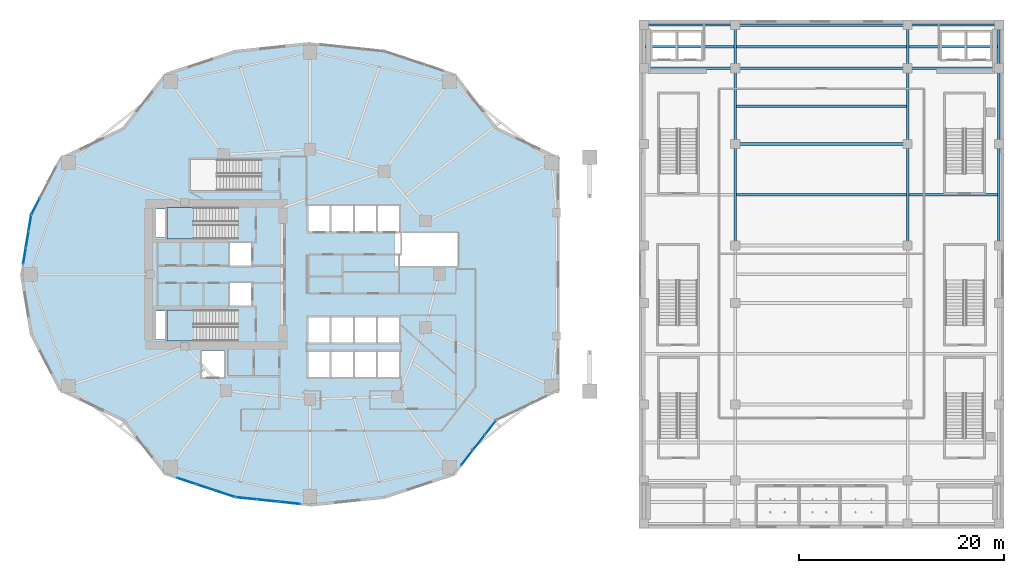
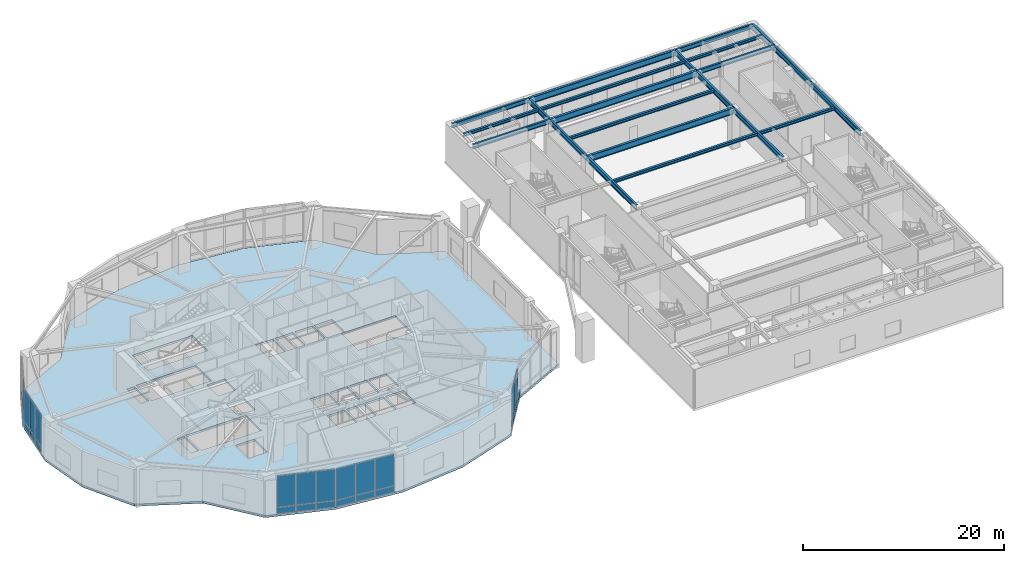
# One storey, part 9 of 21: 25 plates, 22 beams, 3 slabs, 7 elements without a shape of their own.
"""IFC4 building model written with IfcOpenShell, lengths in metres."""

from ifc_helpers import new_model, si_unit, direction, frame, origin, origin_2d, place, context, subcontext, project, spatial, polyline, rectangle, i_section, outline, extrude, material, layer, layer_set, material_profile, profile_set, type_object, element, aggregate, save


model = new_model("IFC4")

# Units and contexts
model_context = context("Model", 3, precision=1e-05, world=origin(), true_north=direction((0.0, 1.0)))
body_context = subcontext(model_context, "Body", "Model", "MODEL_VIEW")
ifc_project = project(units=[si_unit("LENGTHUNIT", "METRE"), si_unit("AREAUNIT", "SQUARE_METRE"), si_unit("VOLUMEUNIT", "CUBIC_METRE"), si_unit("PLANEANGLEUNIT", "RADIAN"), si_unit("MASSUNIT", "GRAM", prefix="KILO")], contexts=[model_context])

# Site, building, storey
site_placement = place(None, origin())
site = spatial("IfcSite", under=ifc_project, at=site_placement, CompositionType="ELEMENT")
building_placement = place(site_placement, origin())
building = spatial("IfcBuilding", under=site, at=building_placement, Name="Kolvaren Gate Tower and Convention Centre", CompositionType="ELEMENT")
storey_placement = place(building_placement, frame((0.0, 0.0, 5.0)))
storey = spatial("IfcBuildingStorey", under=building, at=storey_placement, Name="L01", CompositionType="ELEMENT", Elevation=5.0)

# Beams
ifc_material_1 = material(Name="Structural steel ASTM A992 Grade 345 MPa", Category="steel")
ifc_material_profile_1 = material_profile(ifc_material_1, i_section(OverallWidth=0.2119140625, OverallDepth=0.5439453125, WebThickness=0.01318359375, FlangeThickness=0.021240234375, at=origin_2d()), Name="W530X123")
ifc_profile_set_1 = profile_set([ifc_material_profile_1], Name="Structural steel ASTM A992 Grade 345 MPa")
beam_type_1 = type_object("IfcBeamType", Name="STR-BM-W530X123", PredefinedType="BEAM", material=ifc_profile_set_1)
for number, where, z_axis, x_axis, name in (
    (1, (62.699951171875, 47.10009765625, 4.468017578125), (1.0, 0.0, 0.0), (0.0, 1.0, 0.0), "Convention L01 Transverse Girder CTG-17"),
    (2, (88.39990234375, 47.10009765625, 4.468017578125), (1.0, 0.0, 0.0), (0.0, 1.0, 0.0), "Convention L01 Transverse Girder CTG-37"),
    (3, (62.699951171875, 51.300048828125, 4.468017578125), (1.0, 0.0, 0.0), (0.0, 1.0, 0.0), "Convention L01 Transverse Girder CTG-18"),
    (4, (88.39990234375, 51.300048828125, 4.468017578125), (1.0, 0.0, 0.0), (0.0, 1.0, 0.0), "Convention L01 Transverse Girder CTG-38"),
):
    element("IfcBeam", number, at=place(storey_placement, frame(where, z_axis=z_axis, x_axis=x_axis)), inside=storey, type_object=beam_type_1, Name=name, PredefinedType="BEAM", context=body_context, shape_type="SweptSolid", body=[
        extrude(i_section(OverallWidth=0.2119140625, OverallDepth=0.5439453125, WebThickness=0.01318359375, FlangeThickness=0.021240234375, at=origin_2d()), origin(), (0.0, 0.0, 1.0), 8.900146484375),
    ])
ifc_material_profile_2 = material_profile(ifc_material_1, i_section(OverallWidth=0.22998046875, OverallDepth=0.616943359375, WebThickness=0.01318359375, FlangeThickness=0.022216796875, at=origin_2d()), Name="W610X140")
ifc_profile_set_2 = profile_set([ifc_material_profile_2], Name="Structural steel ASTM A992 Grade 345 MPa")
beam_type_2 = type_object("IfcBeamType", Name="STR-BM-W610X140", PredefinedType="BEAM", material=ifc_profile_set_2)
beam_1_placement = place(storey_placement, frame((71.60009765625, 29.800048828125, 4.431396484375), z_axis=(0.0, 1.0, 0.0), x_axis=(-1.0, 0.0, 0.0)))
element("IfcBeam", 5, at=beam_1_placement, inside=storey, type_object=beam_type_2, Name="Convention L01 Longitudinal Girder CG-25", PredefinedType="BEAM", context=body_context, shape_type="SweptSolid", body=[
    extrude(i_section(OverallWidth=0.22998046875, OverallDepth=0.616943359375, WebThickness=0.01318359375, FlangeThickness=0.022216796875, at=origin_2d()), origin(), (0.0, 0.0, 1.0), 9.89990234375),
])
beam_2_placement = place(storey_placement, frame((71.60009765625, 39.699951171875, 4.431396484375), z_axis=(0.0, 1.0, 0.0), x_axis=(-1.0, 0.0, 0.0)))
element("IfcBeam", 6, at=beam_2_placement, inside=storey, type_object=beam_type_2, Name="Convention L01 Longitudinal Girder CG-26", PredefinedType="BEAM", context=body_context, shape_type="SweptSolid", body=[
    extrude(i_section(OverallWidth=0.22998046875, OverallDepth=0.616943359375, WebThickness=0.01318359375, FlangeThickness=0.022216796875, at=origin_2d()), origin(), (0.0, 0.0, 1.0), 7.400146484375),
])
beam_3_placement = place(storey_placement, frame((71.60009765625, 47.10009765625, 4.431396484375), z_axis=(0.0, 1.0, 0.0), x_axis=(-1.0, 0.0, 0.0)))
element("IfcBeam", 7, at=beam_3_placement, inside=storey, type_object=beam_type_2, Name="Convention L01 Longitudinal Girder CG-27", PredefinedType="BEAM", context=body_context, shape_type="SweptSolid", body=[
    extrude(i_section(OverallWidth=0.22998046875, OverallDepth=0.616943359375, WebThickness=0.01318359375, FlangeThickness=0.022216796875, at=origin_2d()), origin(), (0.0, 0.0, 1.0), 4.199951171875),
])
beam_4_placement = place(storey_placement, frame((88.39990234375, 29.800048828125, 4.431396484375), z_axis=(0.0, 1.0, 0.0), x_axis=(-1.0, 0.0, 0.0)))
element("IfcBeam", 8, at=beam_4_placement, inside=storey, type_object=beam_type_2, Name="Convention L01 Longitudinal Girder CG-35", PredefinedType="BEAM", context=body_context, shape_type="SweptSolid", body=[
    extrude(i_section(OverallWidth=0.22998046875, OverallDepth=0.616943359375, WebThickness=0.01318359375, FlangeThickness=0.022216796875, at=origin_2d()), origin(), (0.0, 0.0, 1.0), 9.89990234375),
])
beam_5_placement = place(storey_placement, frame((88.39990234375, 39.699951171875, 4.431396484375), z_axis=(0.0, 1.0, 0.0), x_axis=(-1.0, 0.0, 0.0)))
element("IfcBeam", 9, at=beam_5_placement, inside=storey, type_object=beam_type_2, Name="Convention L01 Longitudinal Girder CG-36", PredefinedType="BEAM", context=body_context, shape_type="SweptSolid", body=[
    extrude(i_section(OverallWidth=0.22998046875, OverallDepth=0.616943359375, WebThickness=0.01318359375, FlangeThickness=0.022216796875, at=origin_2d()), origin(), (0.0, 0.0, 1.0), 7.400146484375),
])
beam_6_placement = place(storey_placement, frame((88.39990234375, 47.10009765625, 4.431396484375), z_axis=(0.0, 1.0, 0.0), x_axis=(-1.0, 0.0, 0.0)))
element("IfcBeam", 10, at=beam_6_placement, inside=storey, type_object=beam_type_2, Name="Convention L01 Longitudinal Girder CG-37", PredefinedType="BEAM", context=body_context, shape_type="SweptSolid", body=[
    extrude(i_section(OverallWidth=0.22998046875, OverallDepth=0.616943359375, WebThickness=0.01318359375, FlangeThickness=0.022216796875, at=origin_2d()), origin(), (0.0, 0.0, 1.0), 4.199951171875),
])
beam_7_placement = place(storey_placement, frame((97.300048828125, 29.800048828125, 4.431396484375), z_axis=(0.0, 1.0, 0.0), x_axis=(-1.0, 0.0, 0.0)))
element("IfcBeam", 11, at=beam_7_placement, inside=storey, type_object=beam_type_2, Name="Convention L01 Longitudinal Girder CG-45", PredefinedType="BEAM", context=body_context, shape_type="SweptSolid", body=[
    extrude(i_section(OverallWidth=0.22998046875, OverallDepth=0.616943359375, WebThickness=0.01318359375, FlangeThickness=0.022216796875, at=origin_2d()), origin(), (0.0, 0.0, 1.0), 9.89990234375),
])
beam_8_placement = place(storey_placement, frame((97.300048828125, 39.699951171875, 4.431396484375), z_axis=(0.0, 1.0, 0.0), x_axis=(-1.0, 0.0, 0.0)))
element("IfcBeam", 12, at=beam_8_placement, inside=storey, type_object=beam_type_2, Name="Convention L01 Longitudinal Girder CG-46", PredefinedType="BEAM", context=body_context, shape_type="SweptSolid", body=[
    extrude(i_section(OverallWidth=0.22998046875, OverallDepth=0.616943359375, WebThickness=0.01318359375, FlangeThickness=0.022216796875, at=origin_2d()), origin(), (0.0, 0.0, 1.0), 7.400146484375),
])
beam_9_placement = place(storey_placement, frame((97.300048828125, 47.10009765625, 4.431396484375), z_axis=(0.0, 1.0, 0.0), x_axis=(-1.0, 0.0, 0.0)))
element("IfcBeam", 13, at=beam_9_placement, inside=storey, type_object=beam_type_2, Name="Convention L01 Longitudinal Girder CG-47", PredefinedType="BEAM", context=body_context, shape_type="SweptSolid", body=[
    extrude(i_section(OverallWidth=0.22998046875, OverallDepth=0.616943359375, WebThickness=0.01318359375, FlangeThickness=0.022216796875, at=origin_2d()), origin(), (0.0, 0.0, 1.0), 4.199951171875),
])
ifc_material_profile_3 = material_profile(ifc_material_1, i_section(OverallWidth=0.26806640625, OverallDepth=0.758056640625, WebThickness=0.016357421875, FlangeThickness=0.025390625, at=origin_2d()), Name="W760X220")
ifc_profile_set_3 = profile_set([ifc_material_profile_3], Name="Structural steel ASTM A992 Grade 345 MPa")
beam_type_3 = type_object("IfcBeamType", Name="STR-BM-W760X220", PredefinedType="BEAM", material=ifc_profile_set_3)
for number, where, z_axis, x_axis, name in (
    (14, (71.60009765625, 39.699951171875, 4.361083984375), (1.0, 0.0, 0.0), (0.0, 1.0, 0.0), "Convention L01 Transverse Girder CTG-26"),
    (15, (71.60009765625, 47.10009765625, 4.361083984375), (1.0, 0.0, 0.0), (0.0, 1.0, 0.0), "Convention L01 Transverse Girder CTG-27"),
    (16, (71.60009765625, 51.300048828125, 4.361083984375), (1.0, 0.0, 0.0), (0.0, 1.0, 0.0), "Convention L01 Transverse Girder CTG-28"),
):
    element("IfcBeam", number, at=place(storey_placement, frame(where, z_axis=z_axis, x_axis=x_axis)), inside=storey, type_object=beam_type_3, Name=name, PredefinedType="BEAM", context=body_context, shape_type="SweptSolid", body=[
        extrude(i_section(OverallWidth=0.26806640625, OverallDepth=0.758056640625, WebThickness=0.016357421875, FlangeThickness=0.025390625, at=origin_2d()), origin(), (0.0, 0.0, 1.0), 16.7998046875),
    ])
ifc_material_profile_4 = material_profile(ifc_material_1, i_section(OverallWidth=0.2548828125, OverallDepth=0.35693359375, WebThickness=0.010498046875, FlangeThickness=0.018310546875, at=origin_2d()), Name="W360X101")
ifc_profile_set_4 = profile_set([ifc_material_profile_4], Name="Structural steel ASTM A992 Grade 345 MPa")
beam_type_4 = type_object("IfcBeamType", Name="STR-JS-W360X101", PredefinedType="JOIST", material=ifc_profile_set_4)
beam_10_placement = place(storey_placement, frame((71.715087890625, 34.75, 4.5615234375), z_axis=(1.0, 0.0, 0.0), x_axis=(0.0, 1.0, 0.0)))
element("IfcBeam", 17, at=beam_10_placement, inside=storey, type_object=beam_type_4, Name="Convention L01 Composite Floor Joist CJ-25", PredefinedType="JOIST", context=body_context, shape_type="SweptSolid", body=[
    extrude(i_section(OverallWidth=0.2548828125, OverallDepth=0.35693359375, WebThickness=0.010498046875, FlangeThickness=0.018310546875, at=origin_2d()), origin(), (0.0, 0.0, 1.0), 16.56982421875),
])
beam_11_placement = place(storey_placement, frame((88.514892578125, 34.75, 4.5615234375), z_axis=(1.0, 0.0, 0.0), x_axis=(0.0, 1.0, 0.0)))
element("IfcBeam", 18, at=beam_11_placement, inside=storey, type_object=beam_type_4, Name="Convention L01 Composite Floor Joist CJ-35", PredefinedType="JOIST", context=body_context, shape_type="SweptSolid", body=[
    extrude(i_section(OverallWidth=0.2548828125, OverallDepth=0.35693359375, WebThickness=0.010498046875, FlangeThickness=0.018310546875, at=origin_2d()), origin(), (0.0, 0.0, 1.0), 8.670166015625),
])
beam_12_placement = place(storey_placement, frame((71.715087890625, 43.39990234375, 4.5615234375), z_axis=(1.0, 0.0, 0.0), x_axis=(0.0, 1.0, 0.0)))
element("IfcBeam", 19, at=beam_12_placement, inside=storey, type_object=beam_type_4, Name="Convention L01 Composite Floor Joist CJ-26", PredefinedType="JOIST", context=body_context, shape_type="SweptSolid", body=[
    extrude(i_section(OverallWidth=0.2548828125, OverallDepth=0.35693359375, WebThickness=0.010498046875, FlangeThickness=0.018310546875, at=origin_2d()), origin(), (0.0, 0.0, 1.0), 16.56982421875),
])
beam_13_placement = place(storey_placement, frame((62.81494140625, 49.199951171875, 4.5615234375), z_axis=(1.0, 0.0, 0.0), x_axis=(0.0, 1.0, 0.0)))
element("IfcBeam", 20, at=beam_13_placement, inside=storey, type_object=beam_type_4, Name="Convention L01 Composite Floor Joist CJ-17", PredefinedType="JOIST", context=body_context, shape_type="SweptSolid", body=[
    extrude(i_section(OverallWidth=0.2548828125, OverallDepth=0.35693359375, WebThickness=0.010498046875, FlangeThickness=0.018310546875, at=origin_2d()), origin(), (0.0, 0.0, 1.0), 8.670166015625),
])
beam_14_placement = place(storey_placement, frame((71.715087890625, 49.199951171875, 4.5615234375), z_axis=(1.0, 0.0, 0.0), x_axis=(0.0, 1.0, 0.0)))
element("IfcBeam", 21, at=beam_14_placement, inside=storey, type_object=beam_type_4, Name="Convention L01 Composite Floor Joist CJ-27", PredefinedType="JOIST", context=body_context, shape_type="SweptSolid", body=[
    extrude(i_section(OverallWidth=0.2548828125, OverallDepth=0.35693359375, WebThickness=0.010498046875, FlangeThickness=0.018310546875, at=origin_2d()), origin(), (0.0, 0.0, 1.0), 16.56982421875),
])
beam_15_placement = place(storey_placement, frame((88.514892578125, 49.199951171875, 4.5615234375), z_axis=(1.0, 0.0, 0.0), x_axis=(0.0, 1.0, 0.0)))
element("IfcBeam", 22, at=beam_15_placement, inside=storey, type_object=beam_type_4, Name="Convention L01 Composite Floor Joist CJ-37", PredefinedType="JOIST", context=body_context, shape_type="SweptSolid", body=[
    extrude(i_section(OverallWidth=0.2548828125, OverallDepth=0.35693359375, WebThickness=0.010498046875, FlangeThickness=0.018310546875, at=origin_2d()), origin(), (0.0, 0.0, 1.0), 8.670166015625),
])

# Curtain wall, plate
ifc_material_2 = material(Name="Anodized Architectural Aluminium Alloy 6063-T6", Category="aluminium")
ifc_layer_1 = layer(ifc_material_2, 0.179931640625)
ifc_layer_set_1 = layer_set([ifc_layer_1], Name="Anodized Architectural Aluminium Alloy 6063-T6")
curtain_wall_type = type_object("IfcCurtainWallType", Name="CW-POD-GLZ", PredefinedType="NOTDEFINED", material=ifc_layer_set_1)
curtain_wall_1_placement = place(storey_placement, origin())
curtain_wall_1 = element("IfcCurtainWall", 23, at=curtain_wall_1_placement, inside=storey, type_object=curtain_wall_type, Name="Tower L01 Unitised Curtain Wall CW-POD-GLZ Bay 10", PredefinedType="NOTDEFINED")
ifc_material_3 = material(Name="Low-E Triple Insulated Glazing Unit 44 mm", Category="glass")
ifc_layer_2 = layer(ifc_material_3, 0.0439453125)
ifc_layer_set_2 = layer_set([ifc_layer_2], Name="Low-E Triple Insulated Glazing Unit 44 mm")
plate_type_1 = type_object("IfcPlateType", Name="CW-PL-IGU-44", PredefinedType="CURTAIN_PANEL", material=ifc_layer_set_2)
plate_1_placement = place(storey_placement, frame((3.373779296875, 33.625732421875, 0.8876953125), z_axis=(0.0, 0.0, 1.0), x_axis=(0.459789264949, 0.888028058024, 0.0)))
plate_1 = element("IfcPlate", 24, at=plate_1_placement, type_object=plate_type_1, Name="CW-01 panel 1.2", PredefinedType="CURTAIN_PANEL", context=body_context, shape_type="SweptSolid", body=[
    extrude(rectangle(XDim=1.6572265625, YDim=0.0439453125, at=origin_2d()), origin(), (0.0, 0.0, 1.0), 3.777587890625),
])

# Curtain wall, plates
curtain_wall_2_placement = place(storey_placement, origin())
curtain_wall_2 = element("IfcCurtainWall", 25, at=curtain_wall_2_placement, inside=storey, type_object=curtain_wall_type, Name="Tower L01 Unitised Curtain Wall CW-POD-GLZ Bay 11", PredefinedType="NOTDEFINED")
plate_2_placement = place(storey_placement, frame((2.295166015625, 28.793212890625, 0.8876953125), z_axis=(0.0, 0.0, 1.0), x_axis=(0.162376449454, 0.986728883059, 0.0)))
plate_2 = element("IfcPlate", 26, at=plate_2_placement, type_object=plate_type_1, Name="CW-01 panel 1.2", PredefinedType="CURTAIN_PANEL", context=body_context, shape_type="SweptSolid", body=[
    extrude(rectangle(XDim=1.52880859375, YDim=0.0439453125, at=origin_2d()), origin(), (0.0, 0.0, 1.0), 3.777587890625),
])
plate_3_placement = place(storey_placement, frame((2.55859375, 30.394287109375, 0.8876953125), z_axis=(0.0, 0.0, 1.0), x_axis=(0.162376449454, 0.986728883059, 0.0)))
plate_3 = element("IfcPlate", 27, at=plate_3_placement, type_object=plate_type_1, Name="CW-01 panel 2.2", PredefinedType="CURTAIN_PANEL", context=body_context, shape_type="SweptSolid", body=[
    extrude(rectangle(XDim=1.566162109375, YDim=0.0439453125, at=origin_2d()), origin(), (0.0, 0.0, 1.0), 3.777587890625),
])
plate_4_placement = place(storey_placement, frame((2.822021484375, 31.9951171875, 0.8876953125), z_axis=(0.0, 0.0, 1.0), x_axis=(0.162376449454, 0.986728883059, 0.0)))
plate_4 = element("IfcPlate", 28, at=plate_4_placement, type_object=plate_type_1, Name="CW-01 panel 3.2", PredefinedType="CURTAIN_PANEL", context=body_context, shape_type="SweptSolid", body=[
    extrude(rectangle(XDim=1.52880859375, YDim=0.0439453125, at=origin_2d()), origin(), (0.0, 0.0, 1.0), 3.777587890625),
])

curtain_wall_3_placement = place(storey_placement, origin())
curtain_wall_3 = element("IfcCurtainWall", 29, at=curtain_wall_3_placement, inside=storey, type_object=curtain_wall_type, Name="Tower L01 Unitised Curtain Wall CW-POD-GLZ Bay 16", PredefinedType="NOTDEFINED")
plate_5_placement = place(storey_placement, frame((18.076904296875, 6.846923828125, 0.8876953125), z_axis=(0.0, 0.0, 1.0), x_axis=(0.949242053404, -0.314546537175, 0.0)))
plate_5 = element("IfcPlate", 30, at=plate_5_placement, type_object=plate_type_1, Name="CW-01 panel 1.2", PredefinedType="CURTAIN_PANEL", context=body_context, shape_type="SweptSolid", body=[
    extrude(rectangle(XDim=1.904541015625, YDim=0.0439453125, at=origin_2d()), origin(), (0.0, 0.0, 1.0), 3.777587890625),
])
plate_6_placement = place(storey_placement, frame((19.973876953125, 6.21826171875, 0.8876953125), z_axis=(0.0, 0.0, 1.0), x_axis=(0.949242053404, -0.314546537175, 0.0)))
plate_6 = element("IfcPlate", 31, at=plate_6_placement, type_object=plate_type_1, Name="CW-01 panel 2.2", PredefinedType="CURTAIN_PANEL", context=body_context, shape_type="SweptSolid", body=[
    extrude(rectangle(XDim=1.94189453125, YDim=0.0439453125, at=origin_2d()), origin(), (0.0, 0.0, 1.0), 3.777587890625),
])
plate_7_placement = place(storey_placement, frame((21.87060546875, 5.58984375, 0.8876953125), z_axis=(0.0, 0.0, 1.0), x_axis=(0.949242053404, -0.314546537175, 0.0)))
plate_7 = element("IfcPlate", 32, at=plate_7_placement, type_object=plate_type_1, Name="CW-01 panel 3.2", PredefinedType="CURTAIN_PANEL", context=body_context, shape_type="SweptSolid", body=[
    extrude(rectangle(XDim=1.904541015625, YDim=0.0439453125, at=origin_2d()), origin(), (0.0, 0.0, 1.0), 3.777587890625),
])

curtain_wall_4_placement = place(storey_placement, origin())
curtain_wall_4 = element("IfcCurtainWall", 33, at=curtain_wall_4_placement, inside=storey, type_object=curtain_wall_type, Name="Tower L01 Unitised Curtain Wall CW-POD-GLZ Bay 17", PredefinedType="NOTDEFINED")
plate_8_placement = place(storey_placement, frame((23.923583984375, 5.153076171875, 0.8876953125), z_axis=(0.0, 0.0, 1.0), x_axis=(0.994499449653, -0.104741799872, 0.0)))
plate_8 = element("IfcPlate", 34, at=plate_8_placement, type_object=plate_type_1, Name="CW-01 panel 1.2", PredefinedType="CURTAIN_PANEL", context=body_context, shape_type="SweptSolid", body=[
    extrude(rectangle(XDim=2.017822265625, YDim=0.0439453125, at=origin_2d()), origin(), (0.0, 0.0, 1.0), 3.777587890625),
])
plate_9_placement = place(storey_placement, frame((26.023681640625, 4.931884765625, 0.8876953125), z_axis=(0.0, 0.0, 1.0), x_axis=(0.994499449653, -0.104741799872, 0.0)))
plate_9 = element("IfcPlate", 35, at=plate_9_placement, type_object=plate_type_1, Name="CW-01 panel 2.2", PredefinedType="CURTAIN_PANEL", context=body_context, shape_type="SweptSolid", body=[
    extrude(rectangle(XDim=2.055419921875, YDim=0.0439453125, at=origin_2d()), origin(), (0.0, 0.0, 1.0), 3.777587890625),
])
plate_10_placement = place(storey_placement, frame((28.12353515625, 4.7109375, 0.8876953125), z_axis=(0.0, 0.0, 1.0), x_axis=(0.994499449653, -0.104741799872, 0.0)))
plate_10 = element("IfcPlate", 36, at=plate_10_placement, type_object=plate_type_1, Name="CW-01 panel 3.2", PredefinedType="CURTAIN_PANEL", context=body_context, shape_type="SweptSolid", body=[
    extrude(rectangle(XDim=2.017822265625, YDim=0.0439453125, at=origin_2d()), origin(), (0.0, 0.0, 1.0), 3.777587890625),
])

curtain_wall_5_placement = place(storey_placement, origin())
curtain_wall_5 = element("IfcCurtainWall", 37, at=curtain_wall_5_placement, inside=storey, type_object=curtain_wall_type, Name="Tower L01 Unitised Curtain Wall CW-POD-GLZ Bay 20", PredefinedType="NOTDEFINED")
plate_11_placement = place(storey_placement, frame((45.439697265625, 9.114013671875, 0.8876953125), z_axis=(0.0, 0.0, 1.0), x_axis=(0.616425794643, 0.787413004527, 0.0)))
plate_11 = element("IfcPlate", 38, at=plate_11_placement, type_object=plate_type_1, Name="CW-01 panel 1.2", PredefinedType="CURTAIN_PANEL", context=body_context, shape_type="SweptSolid", body=[
    extrude(rectangle(XDim=1.760986328125, YDim=0.0439453125, at=origin_2d()), origin(), (0.0, 0.0, 1.0), 3.777587890625),
])
plate_12_placement = place(storey_placement, frame((46.5830078125, 10.574462890625, 0.8876953125), z_axis=(0.0, 0.0, 1.0), x_axis=(0.616425794643, 0.787413004527, 0.0)))
plate_12 = element("IfcPlate", 39, at=plate_12_placement, type_object=plate_type_1, Name="CW-01 panel 2.2", PredefinedType="CURTAIN_PANEL", context=body_context, shape_type="SweptSolid", body=[
    extrude(rectangle(XDim=1.79833984375, YDim=0.0439453125, at=origin_2d()), origin(), (0.0, 0.0, 1.0), 3.777587890625),
])

# Plate
ifc_material_4 = material(Name="Solar-Control Laminated Curtain Glazing 36 mm", Category="glass")
ifc_layer_3 = layer(ifc_material_4, 0.035888671875)
ifc_layer_set_3 = layer_set([ifc_layer_3], Name="Solar-Control Laminated Curtain Glazing 36 mm")
plate_type_2 = type_object("IfcPlateType", Name="CW-PL-SPAN-36", PredefinedType="CURTAIN_PANEL", material=ifc_layer_set_3)
plate_13_placement = place(storey_placement, frame((3.373779296875, 33.625732421875, 0.0751953125), z_axis=(0.0, 0.0, 1.0), x_axis=(0.459789264949, 0.888028058024, 0.0)))
plate_13 = element("IfcPlate", 40, at=plate_13_placement, type_object=plate_type_2, Name="CW-01 panel 1.1", PredefinedType="CURTAIN_PANEL", context=body_context, shape_type="SweptSolid", body=[
    extrude(rectangle(XDim=1.6572265625, YDim=0.035888671875, at=origin_2d()), origin(), (0.0, 0.0, 1.0), 0.737548828125),
])

aggregate(curtain_wall_1, [plate_13, plate_1])

plate_14_placement = place(storey_placement, frame((2.295166015625, 28.793212890625, 0.0751953125), z_axis=(0.0, 0.0, 1.0), x_axis=(0.162376449454, 0.986728883059, 0.0)))
plate_14 = element("IfcPlate", 41, at=plate_14_placement, type_object=plate_type_2, Name="CW-01 panel 1.1", PredefinedType="CURTAIN_PANEL", context=body_context, shape_type="SweptSolid", body=[
    extrude(rectangle(XDim=1.52880859375, YDim=0.035888671875, at=origin_2d()), origin(), (0.0, 0.0, 1.0), 0.737548828125),
])

plate_15_placement = place(storey_placement, frame((2.55859375, 30.394287109375, 0.0751953125), z_axis=(0.0, 0.0, 1.0), x_axis=(0.162376449454, 0.986728883059, 0.0)))
plate_15 = element("IfcPlate", 42, at=plate_15_placement, type_object=plate_type_2, Name="CW-01 panel 2.1", PredefinedType="CURTAIN_PANEL", context=body_context, shape_type="SweptSolid", body=[
    extrude(rectangle(XDim=1.566162109375, YDim=0.035888671875, at=origin_2d()), origin(), (0.0, 0.0, 1.0), 0.737548828125),
])

plate_16_placement = place(storey_placement, frame((2.822021484375, 31.9951171875, 0.0751953125), z_axis=(0.0, 0.0, 1.0), x_axis=(0.162376449454, 0.986728883059, 0.0)))
plate_16 = element("IfcPlate", 43, at=plate_16_placement, type_object=plate_type_2, Name="CW-01 panel 3.1", PredefinedType="CURTAIN_PANEL", context=body_context, shape_type="SweptSolid", body=[
    extrude(rectangle(XDim=1.52880859375, YDim=0.035888671875, at=origin_2d()), origin(), (0.0, 0.0, 1.0), 0.737548828125),
])

aggregate(curtain_wall_2, [plate_14, plate_2, plate_15, plate_3, plate_16, plate_4])

plate_17_placement = place(storey_placement, frame((18.076904296875, 6.846923828125, 0.0751953125), z_axis=(0.0, 0.0, 1.0), x_axis=(0.949242053404, -0.314546537175, 0.0)))
plate_17 = element("IfcPlate", 44, at=plate_17_placement, type_object=plate_type_2, Name="CW-01 panel 1.1", PredefinedType="CURTAIN_PANEL", context=body_context, shape_type="SweptSolid", body=[
    extrude(rectangle(XDim=1.904541015625, YDim=0.035888671875, at=origin_2d()), origin(), (0.0, 0.0, 1.0), 0.737548828125),
])

plate_18_placement = place(storey_placement, frame((19.973876953125, 6.21826171875, 0.0751953125), z_axis=(0.0, 0.0, 1.0), x_axis=(0.949242053404, -0.314546537175, 0.0)))
plate_18 = element("IfcPlate", 45, at=plate_18_placement, type_object=plate_type_2, Name="CW-01 panel 2.1", PredefinedType="CURTAIN_PANEL", context=body_context, shape_type="SweptSolid", body=[
    extrude(rectangle(XDim=1.94189453125, YDim=0.035888671875, at=origin_2d()), origin(), (0.0, 0.0, 1.0), 0.737548828125),
])

plate_19_placement = place(storey_placement, frame((21.87060546875, 5.58984375, 0.0751953125), z_axis=(0.0, 0.0, 1.0), x_axis=(0.949242053404, -0.314546537175, 0.0)))
plate_19 = element("IfcPlate", 46, at=plate_19_placement, type_object=plate_type_2, Name="CW-01 panel 3.1", PredefinedType="CURTAIN_PANEL", context=body_context, shape_type="SweptSolid", body=[
    extrude(rectangle(XDim=1.904541015625, YDim=0.035888671875, at=origin_2d()), origin(), (0.0, 0.0, 1.0), 0.737548828125),
])

aggregate(curtain_wall_3, [plate_17, plate_5, plate_18, plate_6, plate_19, plate_7])

plate_20_placement = place(storey_placement, frame((23.923583984375, 5.153076171875, 0.0751953125), z_axis=(0.0, 0.0, 1.0), x_axis=(0.994499449653, -0.104741799872, 0.0)))
plate_20 = element("IfcPlate", 47, at=plate_20_placement, type_object=plate_type_2, Name="CW-01 panel 1.1", PredefinedType="CURTAIN_PANEL", context=body_context, shape_type="SweptSolid", body=[
    extrude(rectangle(XDim=2.017822265625, YDim=0.035888671875, at=origin_2d()), origin(), (0.0, 0.0, 1.0), 0.737548828125),
])

plate_21_placement = place(storey_placement, frame((26.023681640625, 4.931884765625, 0.0751953125), z_axis=(0.0, 0.0, 1.0), x_axis=(0.994499449653, -0.104741799872, 0.0)))
plate_21 = element("IfcPlate", 48, at=plate_21_placement, type_object=plate_type_2, Name="CW-01 panel 2.1", PredefinedType="CURTAIN_PANEL", context=body_context, shape_type="SweptSolid", body=[
    extrude(rectangle(XDim=2.055419921875, YDim=0.035888671875, at=origin_2d()), origin(), (0.0, 0.0, 1.0), 0.737548828125),
])

plate_22_placement = place(storey_placement, frame((28.12353515625, 4.7109375, 0.0751953125), z_axis=(0.0, 0.0, 1.0), x_axis=(0.994499449653, -0.104741799872, 0.0)))
plate_22 = element("IfcPlate", 49, at=plate_22_placement, type_object=plate_type_2, Name="CW-01 panel 3.1", PredefinedType="CURTAIN_PANEL", context=body_context, shape_type="SweptSolid", body=[
    extrude(rectangle(XDim=2.017822265625, YDim=0.035888671875, at=origin_2d()), origin(), (0.0, 0.0, 1.0), 0.737548828125),
])

aggregate(curtain_wall_4, [plate_20, plate_8, plate_21, plate_9, plate_22, plate_10])

plate_23_placement = place(storey_placement, frame((45.439697265625, 9.114013671875, 0.0751953125), z_axis=(0.0, 0.0, 1.0), x_axis=(0.616425794643, 0.787413004527, 0.0)))
plate_23 = element("IfcPlate", 50, at=plate_23_placement, type_object=plate_type_2, Name="CW-01 panel 1.1", PredefinedType="CURTAIN_PANEL", context=body_context, shape_type="SweptSolid", body=[
    extrude(rectangle(XDim=1.760986328125, YDim=0.035888671875, at=origin_2d()), origin(), (0.0, 0.0, 1.0), 0.737548828125),
])

plate_24_placement = place(storey_placement, frame((46.5830078125, 10.574462890625, 0.0751953125), z_axis=(0.0, 0.0, 1.0), x_axis=(0.616425794643, 0.787413004527, 0.0)))
plate_24 = element("IfcPlate", 51, at=plate_24_placement, type_object=plate_type_2, Name="CW-01 panel 2.1", PredefinedType="CURTAIN_PANEL", context=body_context, shape_type="SweptSolid", body=[
    extrude(rectangle(XDim=1.79833984375, YDim=0.035888671875, at=origin_2d()), origin(), (0.0, 0.0, 1.0), 0.737548828125),
])

plate_25_placement = place(storey_placement, frame((47.726318359375, 12.034912109375, 0.0751953125), z_axis=(0.0, 0.0, 1.0), x_axis=(0.616425794643, 0.787413004527, 0.0)))
plate_25 = element("IfcPlate", 52, at=plate_25_placement, type_object=plate_type_2, Name="CW-01 panel 3.1", PredefinedType="CURTAIN_PANEL", context=body_context, shape_type="SweptSolid", body=[
    extrude(rectangle(XDim=1.760986328125, YDim=0.035888671875, at=origin_2d()), origin(), (0.0, 0.0, 1.0), 0.737548828125),
])

aggregate(curtain_wall_5, [plate_23, plate_11, plate_24, plate_12, plate_25])

# Slab
ifc_material_5 = material(Name="Concrete C40/50", Category="concrete")
ifc_layer_4 = layer(ifc_material_5, 0.260009765625)
ifc_layer_set_4 = layer_set([ifc_layer_4], Name="Concrete C40/50")
slab_type_1 = type_object("IfcSlabType", Name="STR-SL-FLR-260", PredefinedType="FLOOR", material=ifc_layer_set_4)
slab_1_placement = place(storey_placement, frame((0.0, 0.0, -0.260009765625)))
element("IfcSlab", 53, at=slab_1_placement, inside=storey, type_object=slab_type_1, Name="Tower L01 Structural Floor Slab", PredefinedType="FLOOR", context=body_context, shape_type="SweptSolid", body=[
    extrude(outline(polyline([(54.48193359375, 38.25), (48.315185546875, 41.212890625), (44.1875, 46.485595703125), (37.404296875, 48.7333984375), (30.125, 49.5), (22.845703125, 48.7333984375), (16.0625, 46.485595703125), (11.934814453125, 41.212890625), (5.76806640625, 38.25), (2.958251953125, 32.823486328125), (2.0, 27.0), (2.958251953125, 21.176513671875), (5.76806640625, 15.75), (11.934814453125, 12.787109375), (16.0625, 7.514404296875), (22.845703125, 5.2666015625), (30.125, 4.5), (37.404296875, 5.2666015625), (44.1875, 7.514404296875), (48.315185546875, 12.787109375), (54.48193359375, 15.75), (54.48193359375, 38.25)]), holes=[polyline([(38.39990234375, 31.10009765625), (44.60009765625, 31.10009765625), (44.60009765625, 27.75), (38.39990234375, 27.75), (38.39990234375, 31.10009765625)]), polyline([(36.75, 33.64990234375), (38.800048828125, 33.64990234375), (38.800048828125, 31.199951171875), (36.75, 31.199951171875), (36.75, 33.64990234375)]), polyline([(36.75, 22.800048828125), (38.800048828125, 22.800048828125), (38.800048828125, 20.35009765625), (36.75, 20.35009765625), (36.75, 22.800048828125)]), polyline([(36.75, 19.449951171875), (38.800048828125, 19.449951171875), (38.800048828125, 17.0), (36.75, 17.0), (36.75, 19.449951171875)]), polyline([(34.5, 33.64990234375), (36.550048828125, 33.64990234375), (36.550048828125, 31.199951171875), (34.5, 31.199951171875), (34.5, 33.64990234375)]), polyline([(34.5, 20.35009765625), (34.5, 22.800048828125), (36.550048828125, 22.800048828125), (36.550048828125, 20.35009765625), (34.5, 20.35009765625)]), polyline([(34.5, 17.0), (34.5, 19.449951171875), (36.550048828125, 19.449951171875), (36.550048828125, 17.0), (34.5, 17.0)]), polyline([(32.25, 31.199951171875), (32.25, 33.64990234375), (34.300048828125, 33.64990234375), (34.300048828125, 31.199951171875), (32.25, 31.199951171875)]), polyline([(32.25, 22.800048828125), (34.300048828125, 22.800048828125), (34.300048828125, 20.35009765625), (32.25, 20.35009765625), (32.25, 22.800048828125)]), polyline([(32.25, 17.0), (32.25, 19.449951171875), (34.300048828125, 19.449951171875), (34.300048828125, 17.0), (32.25, 17.0)]), polyline([(30.0, 33.64990234375), (32.050048828125, 33.64990234375), (32.050048828125, 31.199951171875), (30.0, 31.199951171875), (30.0, 33.64990234375)]), polyline([(30.0, 20.35009765625), (30.0, 22.800048828125), (32.050048828125, 22.800048828125), (32.050048828125, 20.35009765625), (30.0, 20.35009765625)]), polyline([(30.0, 17.0), (30.0, 19.449951171875), (32.050048828125, 19.449951171875), (32.050048828125, 17.0), (30.0, 17.0)]), polyline([(25.39990234375, 38.199951171875), (25.39990234375, 35.159912109375), (18.5, 35.159912109375), (18.5, 38.199951171875), (25.39990234375, 38.199951171875)]), polyline([(22.35009765625, 27.840087890625), (22.35009765625, 30.0400390625), (24.39990234375, 30.0400390625), (24.39990234375, 27.840087890625), (22.35009765625, 27.840087890625)]), polyline([(22.35009765625, 23.9599609375), (22.35009765625, 26.159912109375), (24.39990234375, 26.159912109375), (24.39990234375, 23.9599609375), (22.35009765625, 23.9599609375)]), polyline([(23.10009765625, 30.4599609375), (16.199951171875, 30.4599609375), (16.199951171875, 33.5), (23.10009765625, 33.5), (23.10009765625, 30.4599609375)]), polyline([(23.10009765625, 20.5), (16.199951171875, 20.5), (16.199951171875, 23.5400390625), (23.10009765625, 23.5400390625), (23.10009765625, 20.5)]), polyline([(19.60009765625, 17.0), (19.60009765625, 19.550048828125), (21.75, 19.550048828125), (21.75, 17.0), (19.60009765625, 17.0)]), polyline([(15.080078125, 23.419921875), (15.969970703125, 23.419921875), (15.969970703125, 20.6298828125), (15.080078125, 20.6298828125), (15.080078125, 23.419921875)]), polyline([(15.080078125, 30.580078125), (15.080078125, 33.3701171875), (15.969970703125, 33.3701171875), (15.969970703125, 30.580078125), (15.080078125, 30.580078125)])]), origin(), (0.0, 0.0, 1.0), 0.260009765625),
])

# Stair, slab
ifc_material_6 = material(Name="Concrete C50/60", Category="concrete")
stair_type = type_object("IfcStairType", Name="STR-STAIR-CORE", PredefinedType="HALF_TURN_STAIR", material=ifc_material_6)
stair_1_placement = place(storey_placement, origin())
stair_1 = element("IfcStair", 54, at=stair_1_placement, inside=storey, type_object=stair_type, Name="L01 Tower North Exit Stair ST-T1", PredefinedType="HALF_TURN_STAIR")
ifc_layer_5 = layer(ifc_material_6, 0.199951171875)
ifc_layer_set_5 = layer_set([ifc_layer_5], Name="Concrete C50/60")
slab_type_2 = type_object("IfcSlabType", Name="STR-SL-LAND-200", PredefinedType="LANDING", material=ifc_layer_set_5)
slab_2_placement = place(storey_placement, frame((0.0, 0.0, 2.300048828125)))
slab_2 = element("IfcSlab", 55, at=slab_2_placement, type_object=slab_type_2, Name="ST-T1 landing 1", PredefinedType="LANDING", context=body_context, shape_type="SweptSolid", body=[
    extrude(outline(polyline([(18.760009765625, 33.5), (16.199951171875, 33.5), (16.199951171875, 30.4599609375), (18.760009765625, 30.4599609375), (18.760009765625, 33.5)])), origin(), (0.0, 0.0, 1.0), 0.199951171875),
])
aggregate(stair_1, [slab_2])

stair_2_placement = place(storey_placement, origin())
stair_2 = element("IfcStair", 56, at=stair_2_placement, inside=storey, type_object=stair_type, Name="L01 Tower South Exit Stair ST-T2", PredefinedType="HALF_TURN_STAIR")
slab_3_placement = place(storey_placement, frame((0.0, 0.0, 2.300048828125)))
slab_3 = element("IfcSlab", 57, at=slab_3_placement, type_object=slab_type_2, Name="ST-T2 landing 1", PredefinedType="LANDING", context=body_context, shape_type="SweptSolid", body=[
    extrude(outline(polyline([(18.760009765625, 23.5400390625), (16.199951171875, 23.5400390625), (16.199951171875, 20.5), (18.760009765625, 20.5), (18.760009765625, 23.5400390625)])), origin(), (0.0, 0.0, 1.0), 0.199951171875),
])
aggregate(stair_2, [slab_3])

save(model, "model.ifc")
